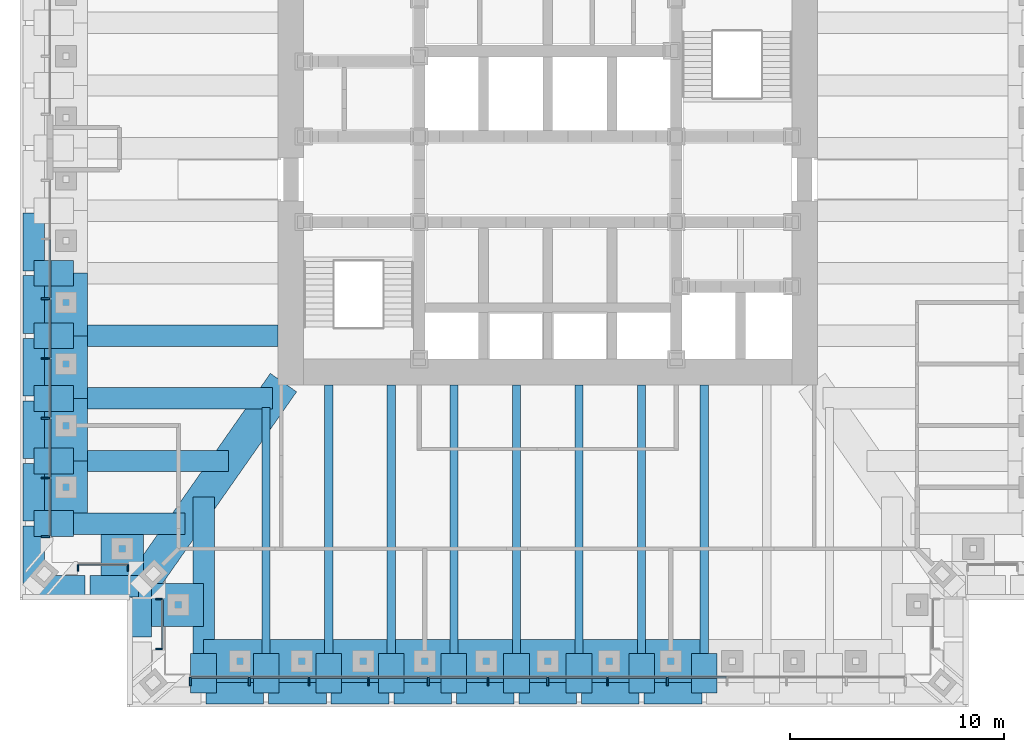
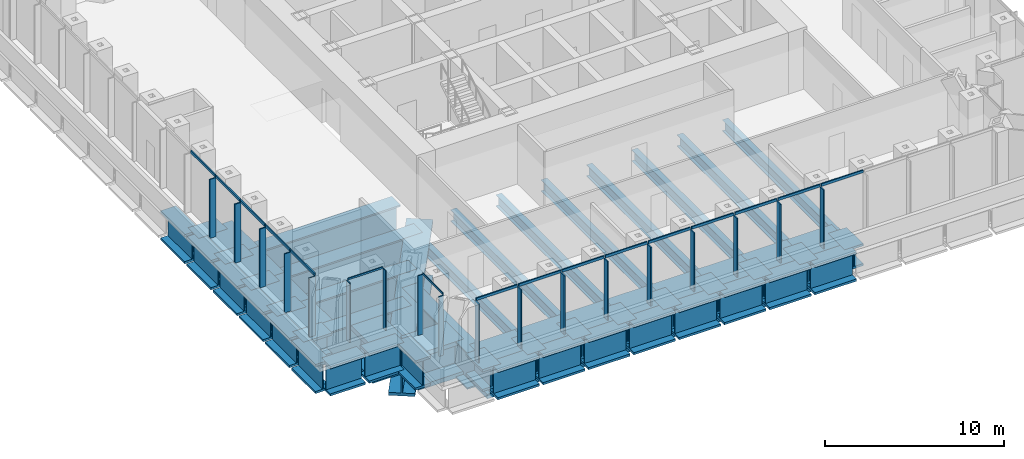
# One storey, part 2 of 13: 59 beams, 34 members, 4 elements without a shape of their own.
"""IFC4 building model written with IfcOpenShell, lengths in metres."""

from ifc_helpers import new_model, si_unit, direction, frame, origin, origin_2d, place, context, subcontext, project, spatial, rectangle, i_section, extrude, material, material_profile, profile_set, type_object, element, aggregate, save


model = new_model("IFC4")

# Units and contexts
model_context = context("Model", 3, precision=1e-05, world=origin(), true_north=direction((0.0, 1.0)))
body_context = subcontext(model_context, "Body", "Model", "MODEL_VIEW")
ifc_project = project(units=[si_unit("LENGTHUNIT", "METRE"), si_unit("AREAUNIT", "SQUARE_METRE"), si_unit("VOLUMEUNIT", "CUBIC_METRE"), si_unit("PLANEANGLEUNIT", "RADIAN"), si_unit("MASSUNIT", "GRAM", prefix="KILO")], contexts=[model_context])

# Site, building, storey
site_placement = place(None, origin())
site = spatial("IfcSite", under=ifc_project, at=site_placement, CompositionType="ELEMENT")
building_placement = place(site_placement, origin())
building = spatial("IfcBuilding", under=site, at=building_placement, Name="Daluyong Arena Tower", CompositionType="ELEMENT")
storey_placement = place(building_placement, frame((0.0, 0.0, 108.10009765625)))
storey = spatial("IfcBuildingStorey", under=building, at=storey_placement, Name="L23", CompositionType="ELEMENT", Elevation=108.10009765625)

# Curtain wall, members
ifc_material_1 = material(Name="Bronze anodised aluminium and glass", Category="aluminium")
curtain_wall_type_1 = type_object("IfcCurtainWallType", Name="Curtain wall CW2", PredefinedType="USERDEFINED", material=ifc_material_1)
curtain_wall_1_placement = place(storey_placement, origin())
curtain_wall_1 = element("IfcCurtainWall", 1, at=curtain_wall_1_placement, inside=storey, type_object=curtain_wall_type_1, Name="curtain wall L23 S", ObjectType="UNITISED CURTAIN WALL", PredefinedType="USERDEFINED")
ifc_material_2 = material(Name="Bronze anodised aluminium fin", Category="aluminium")
ifc_material_profile_1 = material_profile(ifc_material_2, rectangle(XDim=0.39990234375, YDim=0.080078125, at=origin_2d()))
ifc_profile_set_1 = profile_set([ifc_material_profile_1], Name="Bronze anodised aluminium fin")
member_type_1 = type_object("IfcMemberType", Name="CW2 bronze fin 400x80", PredefinedType="MULLION", material=ifc_profile_set_1)
member_1_placement = place(storey_placement, frame((39.305419921875, 56.550048828125, 0.0), z_axis=(0.0, 0.0, 1.0), x_axis=(0.0, 1.0, 0.0)))
member_1 = element("IfcMember", 2, at=member_1_placement, type_object=member_type_1, Name="curtain wall L23 S fin 1", PredefinedType="MULLION", context=body_context, shape_type="SweptSolid", body=[
    extrude(rectangle(XDim=0.39990234375, YDim=0.080078125, at=origin_2d()), origin(), (0.0, 0.0, 1.0), 4.02001953125),
])
member_2_placement = place(storey_placement, frame((42.0546875, 56.550048828125, 0.0), z_axis=(0.0, 0.0, 1.0), x_axis=(0.0, 1.0, 0.0)))
member_2 = element("IfcMember", 3, at=member_2_placement, type_object=member_type_1, Name="curtain wall L23 S fin 2", PredefinedType="MULLION", context=body_context, shape_type="SweptSolid", body=[
    extrude(rectangle(XDim=0.39990234375, YDim=0.080078125, at=origin_2d()), origin(), (0.0, 0.0, 1.0), 4.02001953125),
])
member_3_placement = place(storey_placement, frame((44.84375, 56.550048828125, 0.0), z_axis=(0.0, 0.0, 1.0), x_axis=(0.0, 1.0, 0.0)))
member_3 = element("IfcMember", 4, at=member_3_placement, type_object=member_type_1, Name="curtain wall L23 S fin 3", PredefinedType="MULLION", context=body_context, shape_type="SweptSolid", body=[
    extrude(rectangle(XDim=0.39990234375, YDim=0.080078125, at=origin_2d()), origin(), (0.0, 0.0, 1.0), 4.02001953125),
])
member_4_placement = place(storey_placement, frame((47.6328125, 56.550048828125, 0.0), z_axis=(0.0, 0.0, 1.0), x_axis=(0.0, 1.0, 0.0)))
member_4 = element("IfcMember", 5, at=member_4_placement, type_object=member_type_1, Name="curtain wall L23 S fin 4", PredefinedType="MULLION", context=body_context, shape_type="SweptSolid", body=[
    extrude(rectangle(XDim=0.39990234375, YDim=0.080078125, at=origin_2d()), origin(), (0.0, 0.0, 1.0), 4.02001953125),
])
member_5_placement = place(storey_placement, frame((50.421875, 56.550048828125, 0.0), z_axis=(0.0, 0.0, 1.0), x_axis=(0.0, 1.0, 0.0)))
member_5 = element("IfcMember", 6, at=member_5_placement, type_object=member_type_1, Name="curtain wall L23 S fin 5", PredefinedType="MULLION", context=body_context, shape_type="SweptSolid", body=[
    extrude(rectangle(XDim=0.39990234375, YDim=0.080078125, at=origin_2d()), origin(), (0.0, 0.0, 1.0), 4.02001953125),
])
member_6_placement = place(storey_placement, frame((53.2109375, 56.550048828125, 0.0), z_axis=(0.0, 0.0, 1.0), x_axis=(0.0, 1.0, 0.0)))
member_6 = element("IfcMember", 7, at=member_6_placement, type_object=member_type_1, Name="curtain wall L23 S fin 6", PredefinedType="MULLION", context=body_context, shape_type="SweptSolid", body=[
    extrude(rectangle(XDim=0.39990234375, YDim=0.080078125, at=origin_2d()), origin(), (0.0, 0.0, 1.0), 4.02001953125),
])
member_7_placement = place(storey_placement, frame((56.0, 56.550048828125, 0.0), z_axis=(0.0, 0.0, 1.0), x_axis=(0.0, 1.0, 0.0)))
member_7 = element("IfcMember", 8, at=member_7_placement, type_object=member_type_1, Name="curtain wall L23 S fin 7", PredefinedType="MULLION", context=body_context, shape_type="SweptSolid", body=[
    extrude(rectangle(XDim=0.39990234375, YDim=0.080078125, at=origin_2d()), origin(), (0.0, 0.0, 1.0), 4.02001953125),
])
member_8_placement = place(storey_placement, frame((58.7890625, 56.550048828125, 0.0), z_axis=(0.0, 0.0, 1.0), x_axis=(0.0, 1.0, 0.0)))
member_8 = element("IfcMember", 9, at=member_8_placement, type_object=member_type_1, Name="curtain wall L23 S fin 8", PredefinedType="MULLION", context=body_context, shape_type="SweptSolid", body=[
    extrude(rectangle(XDim=0.39990234375, YDim=0.080078125, at=origin_2d()), origin(), (0.0, 0.0, 1.0), 4.02001953125),
])
member_9_placement = place(storey_placement, frame((61.578125, 56.550048828125, 0.0), z_axis=(0.0, 0.0, 1.0), x_axis=(0.0, 1.0, 0.0)))
member_9 = element("IfcMember", 10, at=member_9_placement, type_object=member_type_1, Name="curtain wall L23 S fin 9", PredefinedType="MULLION", context=body_context, shape_type="SweptSolid", body=[
    extrude(rectangle(XDim=0.39990234375, YDim=0.080078125, at=origin_2d()), origin(), (0.0, 0.0, 1.0), 4.02001953125),
])

curtain_wall_2_placement = place(storey_placement, origin())
curtain_wall_2 = element("IfcCurtainWall", 11, at=curtain_wall_2_placement, inside=storey, type_object=curtain_wall_type_1, Name="curtain wall L23 W part 2", ObjectType="UNITISED CURTAIN WALL", PredefinedType="USERDEFINED")
member_10_placement = place(storey_placement, frame((32.550048828125, 74.421875, 0.0), z_axis=(0.0, 0.0, 1.0), x_axis=(1.0, 0.0, 0.0)))
member_10 = element("IfcMember", 12, at=member_10_placement, type_object=member_type_1, Name="curtain wall L23 W part 2 fin 3", PredefinedType="MULLION", context=body_context, shape_type="SweptSolid", body=[
    extrude(rectangle(XDim=0.39990234375, YDim=0.080078125, at=origin_2d()), origin(), (0.0, 0.0, 1.0), 4.02001953125),
])
member_11_placement = place(storey_placement, frame((32.550048828125, 71.6328125, 0.0), z_axis=(0.0, 0.0, 1.0), x_axis=(1.0, 0.0, 0.0)))
member_11 = element("IfcMember", 13, at=member_11_placement, type_object=member_type_1, Name="curtain wall L23 W part 2 fin 4", PredefinedType="MULLION", context=body_context, shape_type="SweptSolid", body=[
    extrude(rectangle(XDim=0.39990234375, YDim=0.080078125, at=origin_2d()), origin(), (0.0, 0.0, 1.0), 4.02001953125),
])
member_12_placement = place(storey_placement, frame((32.550048828125, 68.84375, 0.0), z_axis=(0.0, 0.0, 1.0), x_axis=(1.0, 0.0, 0.0)))
member_12 = element("IfcMember", 14, at=member_12_placement, type_object=member_type_1, Name="curtain wall L23 W part 2 fin 5", PredefinedType="MULLION", context=body_context, shape_type="SweptSolid", body=[
    extrude(rectangle(XDim=0.39990234375, YDim=0.080078125, at=origin_2d()), origin(), (0.0, 0.0, 1.0), 4.02001953125),
])
member_13_placement = place(storey_placement, frame((32.550048828125, 66.0546875, 0.0), z_axis=(0.0, 0.0, 1.0), x_axis=(1.0, 0.0, 0.0)))
member_13 = element("IfcMember", 15, at=member_13_placement, type_object=member_type_1, Name="curtain wall L23 W part 2 fin 6", PredefinedType="MULLION", context=body_context, shape_type="SweptSolid", body=[
    extrude(rectangle(XDim=0.39990234375, YDim=0.080078125, at=origin_2d()), origin(), (0.0, 0.0, 1.0), 4.02001953125),
])
member_14_placement = place(storey_placement, frame((32.550048828125, 63.305419921875, 0.0), z_axis=(0.0, 0.0, 1.0), x_axis=(1.0, 0.0, 0.0)))
member_14 = element("IfcMember", 16, at=member_14_placement, type_object=member_type_1, Name="curtain wall L23 W part 2 fin 7", PredefinedType="MULLION", context=body_context, shape_type="SweptSolid", body=[
    extrude(rectangle(XDim=0.39990234375, YDim=0.080078125, at=origin_2d()), origin(), (0.0, 0.0, 1.0), 4.02001953125),
])

# Member
ifc_material_3 = material(Name="Bronze anodised aluminium", Category="aluminium")
ifc_material_profile_2 = material_profile(ifc_material_3, rectangle(XDim=0.080078125, YDim=0.179931640625, at=origin_2d()))
ifc_profile_set_2 = profile_set([ifc_material_profile_2], Name="Bronze anodised aluminium")
member_type_2 = type_object("IfcMemberType", Name="CW2 stack transom 180x80", PredefinedType="USERDEFINED", material=ifc_profile_set_2)
member_15_placement = place(storey_placement, frame((39.345458984375, 56.75, 4.10986328125), z_axis=(1.0, 0.0, 0.0), x_axis=(0.0, 1.0, 0.0)))
member_15 = element("IfcMember", 17, at=member_15_placement, type_object=member_type_2, Name="curtain wall L23 S transom 1", ObjectType="TRANSOM", PredefinedType="USERDEFINED", context=body_context, shape_type="SweptSolid", body=[
    extrude(rectangle(XDim=0.080078125, YDim=0.179931640625, at=origin_2d()), origin(), (0.0, 0.0, 1.0), 2.669189453125),
])

member_16_placement = place(storey_placement, frame((42.094482421875, 56.75, 4.10986328125), z_axis=(1.0, 0.0, 0.0), x_axis=(0.0, 1.0, 0.0)))
member_16 = element("IfcMember", 18, at=member_16_placement, type_object=member_type_2, Name="curtain wall L23 S transom 2", ObjectType="TRANSOM", PredefinedType="USERDEFINED", context=body_context, shape_type="SweptSolid", body=[
    extrude(rectangle(XDim=0.080078125, YDim=0.179931640625, at=origin_2d()), origin(), (0.0, 0.0, 1.0), 2.709228515625),
])

member_17_placement = place(storey_placement, frame((44.883544921875, 56.75, 4.10986328125), z_axis=(1.0, 0.0, 0.0), x_axis=(0.0, 1.0, 0.0)))
member_17 = element("IfcMember", 19, at=member_17_placement, type_object=member_type_2, Name="curtain wall L23 S transom 3", ObjectType="TRANSOM", PredefinedType="USERDEFINED", context=body_context, shape_type="SweptSolid", body=[
    extrude(rectangle(XDim=0.080078125, YDim=0.179931640625, at=origin_2d()), origin(), (0.0, 0.0, 1.0), 2.709228515625),
])

member_18_placement = place(storey_placement, frame((47.6728515625, 56.75, 4.10986328125), z_axis=(1.0, 0.0, 0.0), x_axis=(0.0, 1.0, 0.0)))
member_18 = element("IfcMember", 20, at=member_18_placement, type_object=member_type_2, Name="curtain wall L23 S transom 4", ObjectType="TRANSOM", PredefinedType="USERDEFINED", context=body_context, shape_type="SweptSolid", body=[
    extrude(rectangle(XDim=0.080078125, YDim=0.179931640625, at=origin_2d()), origin(), (0.0, 0.0, 1.0), 2.708984375),
])

member_19_placement = place(storey_placement, frame((50.4619140625, 56.75, 4.10986328125), z_axis=(1.0, 0.0, 0.0), x_axis=(0.0, 1.0, 0.0)))
member_19 = element("IfcMember", 21, at=member_19_placement, type_object=member_type_2, Name="curtain wall L23 S transom 5", ObjectType="TRANSOM", PredefinedType="USERDEFINED", context=body_context, shape_type="SweptSolid", body=[
    extrude(rectangle(XDim=0.080078125, YDim=0.179931640625, at=origin_2d()), origin(), (0.0, 0.0, 1.0), 2.708984375),
])

member_20_placement = place(storey_placement, frame((53.2509765625, 56.75, 4.10986328125), z_axis=(1.0, 0.0, 0.0), x_axis=(0.0, 1.0, 0.0)))
member_20 = element("IfcMember", 22, at=member_20_placement, type_object=member_type_2, Name="curtain wall L23 S transom 6", ObjectType="TRANSOM", PredefinedType="USERDEFINED", context=body_context, shape_type="SweptSolid", body=[
    extrude(rectangle(XDim=0.080078125, YDim=0.179931640625, at=origin_2d()), origin(), (0.0, 0.0, 1.0), 2.708984375),
])

member_21_placement = place(storey_placement, frame((56.0400390625, 56.75, 4.10986328125), z_axis=(1.0, 0.0, 0.0), x_axis=(0.0, 1.0, 0.0)))
member_21 = element("IfcMember", 23, at=member_21_placement, type_object=member_type_2, Name="curtain wall L23 S transom 7", ObjectType="TRANSOM", PredefinedType="USERDEFINED", context=body_context, shape_type="SweptSolid", body=[
    extrude(rectangle(XDim=0.080078125, YDim=0.179931640625, at=origin_2d()), origin(), (0.0, 0.0, 1.0), 2.708984375),
])

member_22_placement = place(storey_placement, frame((58.8291015625, 56.75, 4.10986328125), z_axis=(1.0, 0.0, 0.0), x_axis=(0.0, 1.0, 0.0)))
member_22 = element("IfcMember", 24, at=member_22_placement, type_object=member_type_2, Name="curtain wall L23 S transom 8", ObjectType="TRANSOM", PredefinedType="USERDEFINED", context=body_context, shape_type="SweptSolid", body=[
    extrude(rectangle(XDim=0.080078125, YDim=0.179931640625, at=origin_2d()), origin(), (0.0, 0.0, 1.0), 2.708984375),
])

member_23_placement = place(storey_placement, frame((61.6181640625, 56.75, 4.10986328125), z_axis=(1.0, 0.0, 0.0), x_axis=(0.0, 1.0, 0.0)))
member_23 = element("IfcMember", 25, at=member_23_placement, type_object=member_type_2, Name="curtain wall L23 S transom 9", ObjectType="TRANSOM", PredefinedType="USERDEFINED", context=body_context, shape_type="SweptSolid", body=[
    extrude(rectangle(XDim=0.080078125, YDim=0.179931640625, at=origin_2d()), origin(), (0.0, 0.0, 1.0), 2.708984375),
])

aggregate(curtain_wall_1, [member_1, member_2, member_3, member_4, member_5, member_6, member_7, member_8, member_9, member_15, member_16, member_17, member_18, member_19, member_20, member_21, member_22, member_23])

member_24_placement = place(storey_placement, frame((32.75, 77.1708984375, 4.10986328125), z_axis=(0.0, -1.0, 0.0), x_axis=(1.0, 0.0, 0.0)))
member_24 = element("IfcMember", 26, at=member_24_placement, type_object=member_type_2, Name="curtain wall L23 W part 2 transom 2", ObjectType="TRANSOM", PredefinedType="USERDEFINED", context=body_context, shape_type="SweptSolid", body=[
    extrude(rectangle(XDim=0.080078125, YDim=0.179931640625, at=origin_2d()), origin(), (0.0, 0.0, 1.0), 2.708984375),
])

member_25_placement = place(storey_placement, frame((32.75, 74.3818359375, 4.10986328125), z_axis=(0.0, -1.0, 0.0), x_axis=(1.0, 0.0, 0.0)))
member_25 = element("IfcMember", 27, at=member_25_placement, type_object=member_type_2, Name="curtain wall L23 W part 2 transom 3", ObjectType="TRANSOM", PredefinedType="USERDEFINED", context=body_context, shape_type="SweptSolid", body=[
    extrude(rectangle(XDim=0.080078125, YDim=0.179931640625, at=origin_2d()), origin(), (0.0, 0.0, 1.0), 2.708984375),
])

member_26_placement = place(storey_placement, frame((32.75, 71.5927734375, 4.10986328125), z_axis=(0.0, -1.0, 0.0), x_axis=(1.0, 0.0, 0.0)))
member_26 = element("IfcMember", 28, at=member_26_placement, type_object=member_type_2, Name="curtain wall L23 W part 2 transom 4", ObjectType="TRANSOM", PredefinedType="USERDEFINED", context=body_context, shape_type="SweptSolid", body=[
    extrude(rectangle(XDim=0.080078125, YDim=0.179931640625, at=origin_2d()), origin(), (0.0, 0.0, 1.0), 2.709228515625),
])

member_27_placement = place(storey_placement, frame((32.75, 68.8037109375, 4.10986328125), z_axis=(0.0, -1.0, 0.0), x_axis=(1.0, 0.0, 0.0)))
member_27 = element("IfcMember", 29, at=member_27_placement, type_object=member_type_2, Name="curtain wall L23 W part 2 transom 5", ObjectType="TRANSOM", PredefinedType="USERDEFINED", context=body_context, shape_type="SweptSolid", body=[
    extrude(rectangle(XDim=0.080078125, YDim=0.179931640625, at=origin_2d()), origin(), (0.0, 0.0, 1.0), 2.709228515625),
])

member_28_placement = place(storey_placement, frame((32.75, 66.0146484375, 4.10986328125), z_axis=(0.0, -1.0, 0.0), x_axis=(1.0, 0.0, 0.0)))
member_28 = element("IfcMember", 30, at=member_28_placement, type_object=member_type_2, Name="curtain wall L23 W part 2 transom 6", ObjectType="TRANSOM", PredefinedType="USERDEFINED", context=body_context, shape_type="SweptSolid", body=[
    extrude(rectangle(XDim=0.080078125, YDim=0.179931640625, at=origin_2d()), origin(), (0.0, 0.0, 1.0), 2.669189453125),
])

aggregate(curtain_wall_2, [member_10, member_11, member_12, member_13, member_14, member_24, member_25, member_26, member_27, member_28])

# Curtain wall, members
ifc_material_4 = material(Name="Bronze anodised aluminium and glass", Category="aluminium")
curtain_wall_type_2 = type_object("IfcCurtainWallType", Name="Curtain wall CW7", PredefinedType="USERDEFINED", material=ifc_material_4)
curtain_wall_3_placement = place(storey_placement, origin())
curtain_wall_3 = element("IfcCurtainWall", 31, at=curtain_wall_3_placement, inside=storey, type_object=curtain_wall_type_2, Name="curtain wall L23 SW-S", ObjectType="UNITISED CURTAIN WALL", PredefinedType="USERDEFINED")
ifc_material_5 = material(Name="Bronze anodised aluminium fin", Category="aluminium")
ifc_material_profile_3 = material_profile(ifc_material_5, rectangle(XDim=0.300048828125, YDim=0.06005859375, at=origin_2d()))
ifc_profile_set_3 = profile_set([ifc_material_profile_3], Name="Bronze anodised aluminium fin")
member_type_3 = type_object("IfcMemberType", Name="CW7 bronze fin 300x60", PredefinedType="MULLION", material=ifc_profile_set_3)
member_29_placement = place(storey_placement, frame((34.05908203125, 61.85009765625, 0.0), z_axis=(0.0, 0.0, 1.0), x_axis=(0.0, 1.0, 0.0)))
member_29 = element("IfcMember", 32, at=member_29_placement, type_object=member_type_3, Name="curtain wall L23 SW-S fin 1", PredefinedType="MULLION", context=body_context, shape_type="SweptSolid", body=[
    extrude(rectangle(XDim=0.300048828125, YDim=0.06005859375, at=origin_2d()), origin(), (0.0, 0.0, 1.0), 4.079833984375),
])
member_30_placement = place(storey_placement, frame((36.39794921875, 61.85009765625, 0.0), z_axis=(0.0, 0.0, 1.0), x_axis=(0.0, 1.0, 0.0)))
member_30 = element("IfcMember", 33, at=member_30_placement, type_object=member_type_3, Name="curtain wall L23 SW-S fin 2", PredefinedType="MULLION", context=body_context, shape_type="SweptSolid", body=[
    extrude(rectangle(XDim=0.300048828125, YDim=0.06005859375, at=origin_2d()), origin(), (0.0, 0.0, 1.0), 4.079833984375),
])

curtain_wall_4_placement = place(storey_placement, origin())
curtain_wall_4 = element("IfcCurtainWall", 34, at=curtain_wall_4_placement, inside=storey, type_object=curtain_wall_type_2, Name="curtain wall L23 SW-W", ObjectType="UNITISED CURTAIN WALL", PredefinedType="USERDEFINED")
member_31_placement = place(storey_placement, frame((37.85009765625, 60.39794921875, 0.0), z_axis=(0.0, 0.0, 1.0), x_axis=(1.0, 0.0, 0.0)))
member_31 = element("IfcMember", 35, at=member_31_placement, type_object=member_type_3, Name="curtain wall L23 SW-W fin 1", PredefinedType="MULLION", context=body_context, shape_type="SweptSolid", body=[
    extrude(rectangle(XDim=0.300048828125, YDim=0.06005859375, at=origin_2d()), origin(), (0.0, 0.0, 1.0), 4.079833984375),
])
member_32_placement = place(storey_placement, frame((37.85009765625, 58.05908203125, 0.0), z_axis=(0.0, 0.0, 1.0), x_axis=(1.0, 0.0, 0.0)))
member_32 = element("IfcMember", 36, at=member_32_placement, type_object=member_type_3, Name="curtain wall L23 SW-W fin 2", PredefinedType="MULLION", context=body_context, shape_type="SweptSolid", body=[
    extrude(rectangle(XDim=0.300048828125, YDim=0.06005859375, at=origin_2d()), origin(), (0.0, 0.0, 1.0), 4.079833984375),
])

# Member
ifc_material_6 = material(Name="Bronze anodised aluminium", Category="aluminium")
ifc_material_profile_4 = material_profile(ifc_material_6, rectangle(XDim=0.06005859375, YDim=0.1201171875, at=origin_2d()))
ifc_profile_set_4 = profile_set([ifc_material_profile_4], Name="Bronze anodised aluminium")
member_type_4 = type_object("IfcMemberType", Name="CW7 stack transom 120x60", PredefinedType="USERDEFINED", material=ifc_profile_set_4)
member_33_placement = place(storey_placement, frame((34.089111328125, 62.0, 4.139892578125), z_axis=(1.0, 0.0, 0.0), x_axis=(0.0, 1.0, 0.0)))
member_33 = element("IfcMember", 37, at=member_33_placement, type_object=member_type_4, Name="curtain wall L23 SW-S transom 1", ObjectType="TRANSOM", PredefinedType="USERDEFINED", context=body_context, shape_type="SweptSolid", body=[
    extrude(rectangle(XDim=0.06005859375, YDim=0.1201171875, at=origin_2d()), origin(), (0.0, 0.0, 1.0), 2.27880859375),
])

aggregate(curtain_wall_3, [member_29, member_30, member_33])

member_34_placement = place(storey_placement, frame((38.0, 60.367919921875, 4.139892578125), z_axis=(0.0, -1.0, 0.0), x_axis=(1.0, 0.0, 0.0)))
member_34 = element("IfcMember", 38, at=member_34_placement, type_object=member_type_4, Name="curtain wall L23 SW-W transom 1", ObjectType="TRANSOM", PredefinedType="USERDEFINED", context=body_context, shape_type="SweptSolid", body=[
    extrude(rectangle(XDim=0.06005859375, YDim=0.1201171875, at=origin_2d()), origin(), (0.0, 0.0, 1.0), 2.27880859375),
])

aggregate(curtain_wall_4, [member_31, member_32, member_34])

# Beams
ifc_material_7 = material(Name="Steel ASTM A572 Grade 50", Category="steel")
ifc_material_profile_5 = material_profile(ifc_material_7, i_section(OverallWidth=1.0, OverallDepth=2.5, WebThickness=0.05, FlangeThickness=0.1, at=origin_2d()))
ifc_profile_set_5 = profile_set([ifc_material_profile_5], Name="Steel ASTM A572 Grade 50")
beam_type_1 = type_object("IfcBeamType", Name="Floor beam PG2500X1000", PredefinedType="BEAM", material=ifc_profile_set_5)
beam_1_placement = place(storey_placement, frame((39.923095703125, 57.85009765625, -1.5), z_axis=(0.0, 1.0, 0.0), x_axis=(-1.0, 0.0, 0.0)))
element("IfcBeam", 39, at=beam_1_placement, inside=storey, type_object=beam_type_1, Name="floor beam FB6", PredefinedType="BEAM", context=body_context, shape_type="SweptSolid", body=[
    extrude(i_section(OverallWidth=1.0, OverallDepth=2.5, WebThickness=0.05, FlangeThickness=0.1, at=origin_2d()), origin(), (0.0, 0.0, 1.0), 7.32568359375),
])
beam_2_placement = place(storey_placement, frame((33.85009765625, 72.6923828125, -1.5), z_axis=(1.0, 0.0, 0.0), x_axis=(0.0, 1.0, 0.0)))
element("IfcBeam", 40, at=beam_2_placement, inside=storey, type_object=beam_type_1, Name="floor beam FB6", PredefinedType="BEAM", context=body_context, shape_type="SweptSolid", body=[
    extrude(i_section(OverallWidth=1.0, OverallDepth=2.5, WebThickness=0.05, FlangeThickness=0.1, at=origin_2d()), origin(), (0.0, 0.0, 1.0), 9.5498046875),
])
beam_3_placement = place(storey_placement, frame((33.85009765625, 69.769287109375, -1.5), z_axis=(1.0, 0.0, 0.0), x_axis=(0.0, 1.0, 0.0)))
element("IfcBeam", 41, at=beam_3_placement, inside=storey, type_object=beam_type_1, Name="floor beam FB6", PredefinedType="BEAM", context=body_context, shape_type="SweptSolid", body=[
    extrude(i_section(OverallWidth=1.0, OverallDepth=2.5, WebThickness=0.05, FlangeThickness=0.1, at=origin_2d()), origin(), (0.0, 0.0, 1.0), 9.288330078125),
])
beam_4_placement = place(storey_placement, frame((33.85009765625, 66.84619140625, -1.5), z_axis=(1.0, 0.0, 0.0), x_axis=(0.0, 1.0, 0.0)))
element("IfcBeam", 42, at=beam_4_placement, inside=storey, type_object=beam_type_1, Name="floor beam FB6", PredefinedType="BEAM", context=body_context, shape_type="SweptSolid", body=[
    extrude(i_section(OverallWidth=1.0, OverallDepth=2.5, WebThickness=0.05, FlangeThickness=0.1, at=origin_2d()), origin(), (0.0, 0.0, 1.0), 7.2421875),
])
beam_5_placement = place(storey_placement, frame((33.85009765625, 63.923095703125, -1.5), z_axis=(1.0, 0.0, 0.0), x_axis=(0.0, 1.0, 0.0)))
element("IfcBeam", 43, at=beam_5_placement, inside=storey, type_object=beam_type_1, Name="floor beam FB6", PredefinedType="BEAM", context=body_context, shape_type="SweptSolid", body=[
    extrude(i_section(OverallWidth=1.0, OverallDepth=2.5, WebThickness=0.05, FlangeThickness=0.1, at=origin_2d()), origin(), (0.0, 0.0, 1.0), 5.196044921875),
])
ifc_material_8 = material(Name="Steel ASTM A992 Grade 50", Category="steel")
ifc_material_profile_6 = material_profile(ifc_material_8, i_section(OverallWidth=0.381103515625, OverallDepth=0.772216796875, WebThickness=0.0166015625, FlangeThickness=0.027099609375, at=origin_2d()))
ifc_profile_set_6 = profile_set([ifc_material_profile_6], Name="Steel ASTM A992 Grade 50")
beam_type_2 = type_object("IfcBeamType", Name="Floor beam W30X173", PredefinedType="BEAM", material=ifc_profile_set_6)
beam_6_placement = place(storey_placement, frame((42.84619140625, 57.85009765625, -0.63623046875), z_axis=(0.0, 1.0, 0.0), x_axis=(-1.0, 0.0, 0.0)))
element("IfcBeam", 44, at=beam_6_placement, inside=storey, type_object=beam_type_2, Name="floor beam FB2", PredefinedType="BEAM", context=body_context, shape_type="SweptSolid", body=[
    extrude(i_section(OverallWidth=0.381103515625, OverallDepth=0.772216796875, WebThickness=0.0166015625, FlangeThickness=0.027099609375, at=origin_2d()), origin(), (0.0, 0.0, 1.0), 11.50146484375),
])
for number, where, z_axis, x_axis, name in (
    (45, (45.769287109375, 57.85009765625, -0.63623046875), (0.0, 1.0, 0.0), (-1.0, 0.0, 0.0), "floor beam FB2"),
    (46, (48.6923828125, 57.85009765625, -0.63623046875), (0.0, 1.0, 0.0), (-1.0, 0.0, 0.0), "floor beam FB2"),
    (47, (51.615478515625, 57.85009765625, -0.63623046875), (0.0, 1.0, 0.0), (-1.0, 0.0, 0.0), "floor beam FB2"),
    (48, (54.53857421875, 57.85009765625, -0.63623046875), (0.0, 1.0, 0.0), (-1.0, 0.0, 0.0), "floor beam FB2"),
    (49, (57.46142578125, 57.85009765625, -0.63623046875), (0.0, 1.0, 0.0), (-1.0, 0.0, 0.0), "floor beam FB2"),
    (50, (60.384521484375, 57.85009765625, -0.63623046875), (0.0, 1.0, 0.0), (-1.0, 0.0, 0.0), "floor beam FB2"),
    (51, (63.3076171875, 57.85009765625, -0.63623046875), (0.0, 1.0, 0.0), (-1.0, 0.0, 0.0), "floor beam FB2"),
):
    element("IfcBeam", number, at=place(storey_placement, frame(where, z_axis=z_axis, x_axis=x_axis)), inside=storey, type_object=beam_type_2, Name=name, PredefinedType="BEAM", context=body_context, shape_type="SweptSolid", body=[
        extrude(i_section(OverallWidth=0.381103515625, OverallDepth=0.772216796875, WebThickness=0.0166015625, FlangeThickness=0.027099609375, at=origin_2d()), origin(), (0.0, 0.0, 1.0), 12.5498046875),
    ])
ifc_material_9 = material(Name="Steel ASTM A588 Grade 50", Category="steel")
ifc_material_profile_7 = material_profile(ifc_material_9, i_section(OverallWidth=1.0, OverallDepth=2.0, WebThickness=0.06, FlangeThickness=0.15, at=origin_2d()))
ifc_profile_set_7 = profile_set([ifc_material_profile_7], Name="Steel ASTM A588 Grade 50")
beam_type_3 = type_object("IfcBeamType", Name="Spandrel Z1 PG2000X1000", PredefinedType="SPANDREL", material=ifc_profile_set_7)
for number, where, z_axis, x_axis, name in (
    (52, (40.0380859375, 56.0, -1.25), (1.0, 0.0, 0.0), (0.0, 1.0, 0.0), "spandrel z1 SB2"),
    (53, (42.961181640625, 56.0, -1.25), (1.0, 0.0, 0.0), (0.0, 1.0, 0.0), "spandrel z1 SB2"),
    (54, (45.88427734375, 56.0, -1.25), (1.0, 0.0, 0.0), (0.0, 1.0, 0.0), "spandrel z1 SB2"),
    (55, (48.807373046875, 56.0, -1.25), (1.0, 0.0, 0.0), (0.0, 1.0, 0.0), "spandrel z1 SB2"),
    (56, (51.73046875, 56.0, -1.25), (1.0, 0.0, 0.0), (0.0, 1.0, 0.0), "spandrel z1 SB2"),
):
    element("IfcBeam", number, at=place(storey_placement, frame(where, z_axis=z_axis, x_axis=x_axis)), inside=storey, type_object=beam_type_3, Name=name, PredefinedType="SPANDREL", context=body_context, shape_type="SweptSolid", body=[
        extrude(i_section(OverallWidth=1.0, OverallDepth=2.0, WebThickness=0.06, FlangeThickness=0.15, at=origin_2d()), origin(), (0.0, 0.0, 1.0), 2.693115234375),
    ])
beam_7_placement = place(storey_placement, frame((54.653564453125, 56.0, -1.25), z_axis=(1.0, 0.0, 0.0), x_axis=(0.0, 1.0, 0.0)))
element("IfcBeam", 57, at=beam_7_placement, inside=storey, type_object=beam_type_3, Name="spandrel z1 SB2", PredefinedType="SPANDREL", context=body_context, shape_type="SweptSolid", body=[
    extrude(i_section(OverallWidth=1.0, OverallDepth=2.0, WebThickness=0.06, FlangeThickness=0.15, at=origin_2d()), origin(), (0.0, 0.0, 1.0), 2.69287109375),
])
for number, where, z_axis, x_axis, name in (
    (58, (57.576416015625, 56.0, -1.25), (1.0, 0.0, 0.0), (0.0, 1.0, 0.0), "spandrel z1 SB2"),
    (59, (60.49951171875, 56.0, -1.25), (1.0, 0.0, 0.0), (0.0, 1.0, 0.0), "spandrel z1 SB2"),
    (60, (32.0, 78.423583984375, -1.25), (0.0, -1.0, 0.0), (1.0, 0.0, 0.0), "spandrel z1 SB2"),
    (61, (32.0, 75.50048828125, -1.25), (0.0, -1.0, 0.0), (1.0, 0.0, 0.0), "spandrel z1 SB2"),
    (62, (32.0, 72.577392578125, -1.25), (0.0, -1.0, 0.0), (1.0, 0.0, 0.0), "spandrel z1 SB2"),
    (63, (32.0, 69.654296875, -1.25), (0.0, -1.0, 0.0), (1.0, 0.0, 0.0), "spandrel z1 SB2"),
    (64, (32.0, 66.731201171875, -1.25), (0.0, -1.0, 0.0), (1.0, 0.0, 0.0), "spandrel z1 SB2"),
    (65, (32.0, 63.80810546875, -1.25), (0.0, -1.0, 0.0), (1.0, 0.0, 0.0), "spandrel z1 SB2"),
):
    element("IfcBeam", number, at=place(storey_placement, frame(where, z_axis=z_axis, x_axis=x_axis)), inside=storey, type_object=beam_type_3, Name=name, PredefinedType="SPANDREL", context=body_context, shape_type="SweptSolid", body=[
        extrude(i_section(OverallWidth=1.0, OverallDepth=2.0, WebThickness=0.06, FlangeThickness=0.15, at=origin_2d()), origin(), (0.0, 0.0, 1.0), 2.693115234375),
    ])
for number, where, z_axis, x_axis, name in (
    (66, (32.114990234375, 61.0, -1.25), (1.0, 0.0, 0.0), (0.0, 1.0, 0.0), "spandrel z1 SB2"),
    (67, (34.614990234375, 61.0, -1.25), (1.0, 0.0, 0.0), (0.0, 1.0, 0.0), "spandrel z1 SB2"),
    (68, (37.0, 60.885009765625, -1.25), (0.0, -1.0, 0.0), (1.0, 0.0, 0.0), "spandrel z1 SB2"),
):
    element("IfcBeam", number, at=place(storey_placement, frame(where, z_axis=z_axis, x_axis=x_axis)), inside=storey, type_object=beam_type_3, Name=name, PredefinedType="SPANDREL", context=body_context, shape_type="SweptSolid", body=[
        extrude(i_section(OverallWidth=1.0, OverallDepth=2.0, WebThickness=0.06, FlangeThickness=0.15, at=origin_2d()), origin(), (0.0, 0.0, 1.0), 2.27001953125),
    ])
ifc_material_10 = material(Name="Steel ASTM A588 Grade 50", Category="steel")
ifc_material_profile_8 = material_profile(ifc_material_10, i_section(OverallWidth=1.199951171875, OverallDepth=1.5, WebThickness=0.08, FlangeThickness=0.15, at=origin_2d()))
ifc_profile_set_8 = profile_set([ifc_material_profile_8], Name="Steel ASTM A588 Grade 50")
beam_type_4 = type_object("IfcBeamType", Name="Transfer beam PG1500X1200", PredefinedType="BEAM", material=ifc_profile_set_8)
for number, where, z_axis, x_axis, name in (
    (69, (39.923095703125, 56.0, -1.0), (0.0, 1.0, 0.0), (-1.0, 0.0, 0.0), "transfer beam TR4"),
    (70, (42.84619140625, 56.0, -1.0), (0.0, 1.0, 0.0), (-1.0, 0.0, 0.0), "transfer beam TR4"),
    (71, (45.769287109375, 56.0, -1.0), (0.0, 1.0, 0.0), (-1.0, 0.0, 0.0), "transfer beam TR4"),
    (72, (48.6923828125, 56.0, -1.0), (0.0, 1.0, 0.0), (-1.0, 0.0, 0.0), "transfer beam TR4"),
    (73, (51.615478515625, 56.0, -1.0), (0.0, 1.0, 0.0), (-1.0, 0.0, 0.0), "transfer beam TR4"),
    (74, (54.53857421875, 56.0, -1.0), (0.0, 1.0, 0.0), (-1.0, 0.0, 0.0), "transfer beam TR4"),
    (75, (57.46142578125, 56.0, -1.0), (0.0, 1.0, 0.0), (-1.0, 0.0, 0.0), "transfer beam TR4"),
    (76, (60.384521484375, 56.0, -1.0), (0.0, 1.0, 0.0), (-1.0, 0.0, 0.0), "transfer beam TR4"),
    (77, (63.3076171875, 56.0, -1.0), (0.0, 1.0, 0.0), (-1.0, 0.0, 0.0), "transfer beam TR4"),
    (78, (32.0, 75.615478515625, -1.0), (1.0, 0.0, 0.0), (0.0, 1.0, 0.0), "transfer beam TR4"),
    (79, (32.0, 72.6923828125, -1.0), (1.0, 0.0, 0.0), (0.0, 1.0, 0.0), "transfer beam TR4"),
    (80, (32.0, 69.769287109375, -1.0), (1.0, 0.0, 0.0), (0.0, 1.0, 0.0), "transfer beam TR4"),
    (81, (32.0, 66.84619140625, -1.0), (1.0, 0.0, 0.0), (0.0, 1.0, 0.0), "transfer beam TR4"),
    (82, (32.0, 63.923095703125, -1.0), (1.0, 0.0, 0.0), (0.0, 1.0, 0.0), "transfer beam TR4"),
):
    element("IfcBeam", number, at=place(storey_placement, frame(where, z_axis=z_axis, x_axis=x_axis)), inside=storey, type_object=beam_type_4, Name=name, PredefinedType="BEAM", context=body_context, shape_type="SweptSolid", body=[
        extrude(i_section(OverallWidth=1.199951171875, OverallDepth=1.5, WebThickness=0.08, FlangeThickness=0.15, at=origin_2d()), origin(), (0.0, 0.0, 1.0), 1.85009765625),
    ])
ifc_material_11 = material(Name="Steel ASTM A36", Category="steel")
ifc_material_profile_9 = material_profile(ifc_material_11, i_section(OverallWidth=2.0, OverallDepth=2.5, WebThickness=0.12, FlangeThickness=0.3, at=origin_2d()))
ifc_profile_set_9 = profile_set([ifc_material_profile_9], Name="Steel ASTM A36")
beam_type_5 = type_object("IfcBeamType", Name="Transfer beam PG2500X2000", PredefinedType="BEAM", material=ifc_profile_set_9)
for number, where, z_axis, x_axis, name in (
    (83, (39.923095703125, 57.5, -1.5), (1.0, 0.0, 0.0), (0.0, 1.0, 0.0), "transfer beam TR3"),
    (84, (42.84619140625, 57.5, -1.5), (1.0, 0.0, 0.0), (0.0, 1.0, 0.0), "transfer beam TR3"),
    (85, (45.769287109375, 57.5, -1.5), (1.0, 0.0, 0.0), (0.0, 1.0, 0.0), "transfer beam TR3"),
    (86, (48.6923828125, 57.5, -1.5), (1.0, 0.0, 0.0), (0.0, 1.0, 0.0), "transfer beam TR3"),
    (87, (51.615478515625, 57.5, -1.5), (1.0, 0.0, 0.0), (0.0, 1.0, 0.0), "transfer beam TR3"),
):
    element("IfcBeam", number, at=place(storey_placement, frame(where, z_axis=z_axis, x_axis=x_axis)), inside=storey, type_object=beam_type_5, Name=name, PredefinedType="BEAM", context=body_context, shape_type="SweptSolid", body=[
        extrude(i_section(OverallWidth=2.0, OverallDepth=2.5, WebThickness=0.12, FlangeThickness=0.3, at=origin_2d()), origin(), (0.0, 0.0, 1.0), 2.923095703125),
    ])
beam_8_placement = place(storey_placement, frame((54.53857421875, 57.5, -1.5), z_axis=(1.0, 0.0, 0.0), x_axis=(0.0, 1.0, 0.0)))
element("IfcBeam", 88, at=beam_8_placement, inside=storey, type_object=beam_type_5, Name="transfer beam TR3", PredefinedType="BEAM", context=body_context, shape_type="SweptSolid", body=[
    extrude(i_section(OverallWidth=2.0, OverallDepth=2.5, WebThickness=0.12, FlangeThickness=0.3, at=origin_2d()), origin(), (0.0, 0.0, 1.0), 2.9228515625),
])
for number, where, z_axis, x_axis, name in (
    (89, (57.46142578125, 57.5, -1.5), (1.0, 0.0, 0.0), (0.0, 1.0, 0.0), "transfer beam TR3"),
    (90, (60.384521484375, 57.5, -1.5), (1.0, 0.0, 0.0), (0.0, 1.0, 0.0), "transfer beam TR3"),
    (91, (37.0, 60.125, -1.5), (1.0, 0.0, 0.0), (0.0, 1.0, 0.0), "transfer beam TR3"),
    (92, (33.5, 63.923095703125, -1.5), (0.0, 1.0, 0.0), (-1.0, 0.0, 0.0), "transfer beam TR3"),
    (93, (33.5, 66.84619140625, -1.5), (0.0, 1.0, 0.0), (-1.0, 0.0, 0.0), "transfer beam TR3"),
    (94, (33.5, 69.769287109375, -1.5), (0.0, 1.0, 0.0), (-1.0, 0.0, 0.0), "transfer beam TR3"),
    (95, (33.5, 72.6923828125, -1.5), (0.0, 1.0, 0.0), (-1.0, 0.0, 0.0), "transfer beam TR3"),
    (96, (36.125, 61.0, -1.5), (0.0, 1.0, 0.0), (-1.0, 0.0, 0.0), "transfer beam TR3"),
):
    element("IfcBeam", number, at=place(storey_placement, frame(where, z_axis=z_axis, x_axis=x_axis)), inside=storey, type_object=beam_type_5, Name=name, PredefinedType="BEAM", context=body_context, shape_type="SweptSolid", body=[
        extrude(i_section(OverallWidth=2.0, OverallDepth=2.5, WebThickness=0.12, FlangeThickness=0.3, at=origin_2d()), origin(), (0.0, 0.0, 1.0), 2.923095703125),
    ])
ifc_material_12 = material(Name="Steel ASTM A588 Grade 50", Category="steel")
ifc_material_profile_10 = material_profile(ifc_material_12, i_section(OverallWidth=1.5, OverallDepth=4.0, WebThickness=0.1, FlangeThickness=0.2, at=origin_2d()))
ifc_profile_set_10 = profile_set([ifc_material_profile_10], Name="Steel ASTM A588 Grade 50")
beam_type_6 = type_object("IfcBeamType", Name="Transfer beam PG4000X1500", PredefinedType="BEAM", material=ifc_profile_set_10)
beam_9_placement = place(storey_placement, frame((37.0, 61.0, -2.25), z_axis=(0.573463756074, 0.81923093232, 0.0), x_axis=(-0.81923093232, 0.573463756074, 0.0)))
element("IfcBeam", 97, at=beam_9_placement, inside=storey, type_object=beam_type_6, Name="transfer beam TR1", PredefinedType="BEAM", context=body_context, shape_type="SweptSolid", body=[
    extrude(i_section(OverallWidth=1.5, OverallDepth=4.0, WebThickness=0.1, FlangeThickness=0.2, at=origin_2d()), origin(), (0.0, 0.0, 1.0), 11.606689453125),
])

save(model, "model.ifc")
